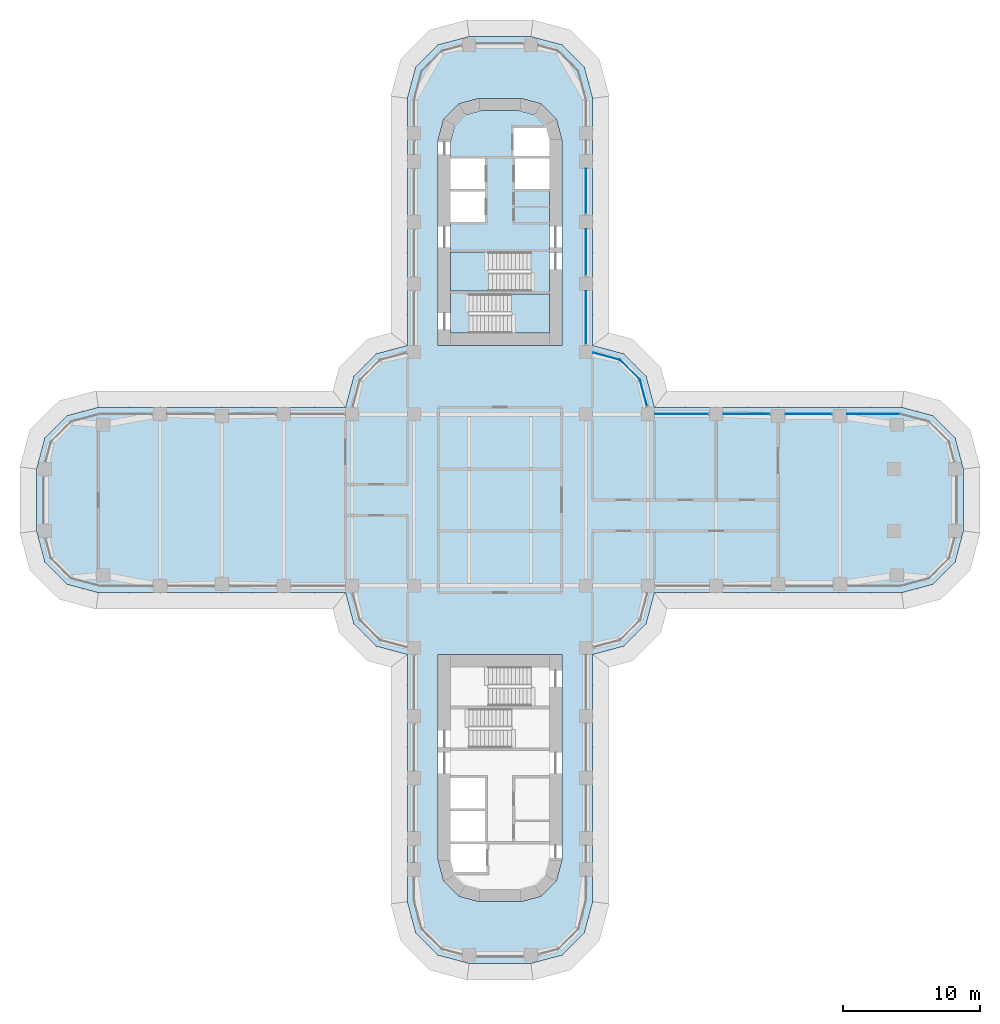
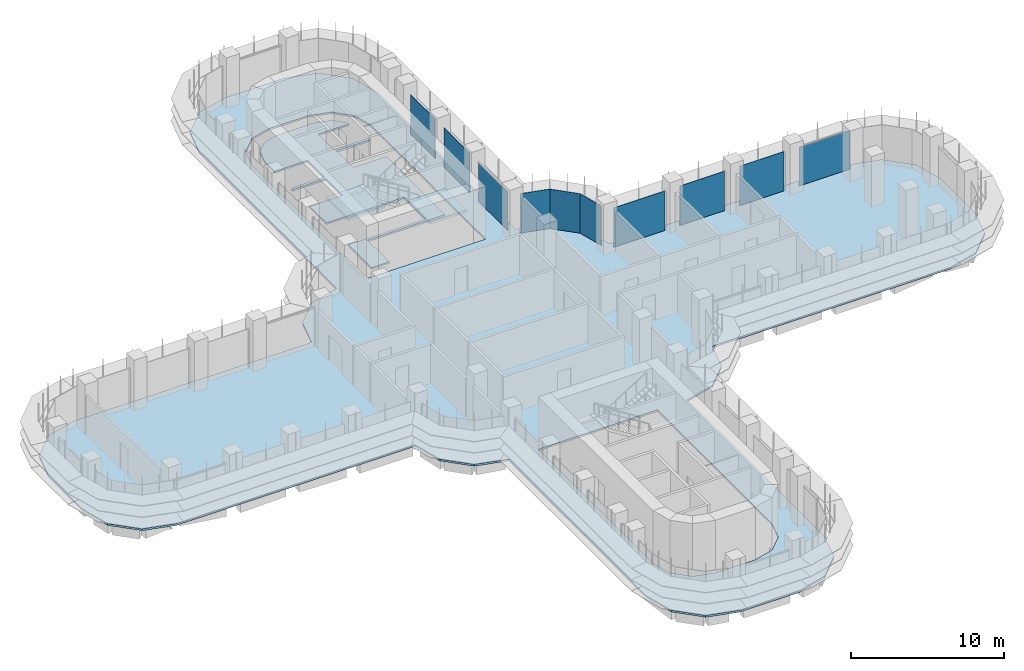
# One storey, part 15 of 23: 10 plates, 4 slabs, 7 elements without a shape of their own.
"""IFC4 building model written with IfcOpenShell, lengths in metres."""

from ifc_helpers import new_model, si_unit, direction, frame, origin, place, context, subcontext, project, spatial, polyline, outline, extrude, source, transform, mapped, material, layer, layer_set, type_object, element, aggregate, save


model = new_model("IFC4")

# Units and contexts
model_context = context("Model", 3, precision=1e-05, world=origin(), true_north=direction((0.0, 1.0)))
body_context = subcontext(model_context, "Body", "Model", "MODEL_VIEW")
ifc_project = project(units=[si_unit("LENGTHUNIT", "METRE"), si_unit("AREAUNIT", "SQUARE_METRE"), si_unit("VOLUMEUNIT", "CUBIC_METRE"), si_unit("PLANEANGLEUNIT", "RADIAN"), si_unit("MASSUNIT", "GRAM", prefix="KILO")], contexts=[model_context])

# Site, building, storey
site_placement = place(None, origin())
site = spatial("IfcSite", under=ifc_project, at=site_placement, CompositionType="ELEMENT")
building_placement = place(site_placement, origin())
building = spatial("IfcBuilding", under=site, at=building_placement, Name="Zarbagh Exchange Tower", CompositionType="ELEMENT")
storey_placement = place(building_placement, frame((0.0, 0.0, 77.39990234375)))
storey = spatial("IfcBuildingStorey", under=building, at=storey_placement, Name="L17", CompositionType="ELEMENT", Elevation=77.39990234375)

# Slabs
ifc_material_1 = material(Name="Concrete C40/50", Category="concrete")
ifc_layer_1 = layer(ifc_material_1, 0.14990234375)
ifc_layer_set_1 = layer_set([ifc_layer_1], Name="Composite floor slab 150 C40/50")
slab_type_1 = type_object("IfcSlabType", Name="Composite floor slab 150 C40/50", PredefinedType="FLOOR", material=ifc_layer_set_1)
slab_1_placement = place(storey_placement, frame((0.0, 0.0, -0.14990234375)))
element("IfcSlab", 1, at=slab_1_placement, inside=storey, type_object=slab_type_1, Name="S5 composite floor slab", PredefinedType="FLOOR", context=body_context, shape_type="SweptSolid", body=[
    extrude(outline(polyline([(-2.25, -33.75), (-4.5, -33.147216796875), (-6.147216796875, -31.5), (-6.75, -29.25), (-6.75, -11.25), (-9.0, -10.647216796875), (-10.647216796875, -9.0), (-11.25, -6.75), (-29.25, -6.75), (-31.5, -6.147216796875), (-33.147216796875, -4.5), (-33.75, -2.25), (-33.75, 2.25), (-33.147216796875, 4.5), (-31.5, 6.147216796875), (-29.25, 6.75), (-11.25, 6.75), (-10.647216796875, 9.0), (-9.0, 10.647216796875), (-6.75, 11.25), (-6.75, 29.25), (-6.147216796875, 31.5), (-4.5, 33.147216796875), (-2.25, 33.75), (2.25, 33.75), (4.5, 33.147216796875), (6.147216796875, 31.5), (6.75, 29.25), (6.75, 11.25), (9.0, 10.647216796875), (10.647216796875, 9.0), (11.25, 6.75), (29.25, 6.75), (31.5, 6.147216796875), (33.147216796875, 4.5), (33.75, 2.25), (33.75, -2.25), (33.147216796875, -4.5), (31.5, -6.147216796875), (29.25, -6.75), (11.25, -6.75), (10.647216796875, -9.0), (9.0, -10.647216796875), (6.75, -11.25), (6.75, -29.25), (6.147216796875, -31.5), (4.5, -33.147216796875), (2.25, -33.75), (-2.25, -33.75)]), holes=[polyline([(4.5, 11.25), (4.5, 26.25), (4.09814453125, 27.75), (3.0, 28.84814453125), (1.5, 29.25), (-1.5, 29.25), (-3.0, 28.84814453125), (-4.09814453125, 27.75), (-4.5, 26.25), (-4.5, 11.25), (4.5, 11.25)]), polyline([(-1.5, -29.25), (1.5, -29.25), (3.0, -28.84814453125), (4.09814453125, -27.75), (4.5, -26.25), (4.5, -11.25), (-4.5, -11.25), (-4.5, -26.25), (-4.09814453125, -27.75), (-3.0, -28.84814453125), (-1.5, -29.25)])]), origin(), (0.0, 0.0, 1.0), 0.14990234375),
])
ifc_layer_2 = layer(ifc_material_1, 0.14990234375)
ifc_layer_set_2 = layer_set([ifc_layer_2], Name="Core floor slab 150 C40/50")
slab_type_2 = type_object("IfcSlabType", Name="Core floor slab 150 C40/50", PredefinedType="FLOOR", material=ifc_layer_set_2)
slab_2_placement = place(storey_placement, frame((0.0, 0.0, -0.14990234375)))
element("IfcSlab", 2, at=slab_2_placement, inside=storey, type_object=slab_type_2, Name="S17 core N", PredefinedType="FLOOR", context=body_context, shape_type="SweptSolid", body=[
    extrude(outline(polyline([(-3.60009765625, 12.14990234375), (-3.60009765625, 15.199951171875), (2.25, 15.199951171875), (2.25, 18.050048828125), (-3.60009765625, 18.050048828125), (-3.60009765625, 20.25), (-1.10009765625, 20.25), (-1.10009765625, 22.449951171875), (-3.60009765625, 22.449951171875), (-3.60009765625, 22.64990234375), (-1.10009765625, 22.64990234375), (-1.10009765625, 24.85009765625), (-3.60009765625, 24.85009765625), (-3.60009765625, 26.131591796875), (-3.291259765625, 27.2841796875), (-2.5341796875, 28.041259765625), (-1.381591796875, 28.35009765625), (1.381591796875, 28.35009765625), (2.5341796875, 28.041259765625), (3.291259765625, 27.2841796875), (3.340576171875, 27.10009765625), (1.0, 27.10009765625), (1.0, 25.050048828125), (3.60009765625, 25.050048828125), (3.60009765625, 24.85009765625), (1.10009765625, 24.85009765625), (1.10009765625, 22.64990234375), (3.60009765625, 22.64990234375), (3.60009765625, 15.0), (-2.25, 15.0), (-2.25, 12.14990234375), (-3.60009765625, 12.14990234375)])), origin(), (0.0, 0.0, 1.0), 0.14990234375),
])

# Stair, slab
stair_type = type_object("IfcStairType", Name="Exit stair two-flight half-turn", PredefinedType="HALF_TURN_STAIR", material=ifc_material_1)
stair_1_placement = place(storey_placement, origin())
stair_1 = element("IfcStair", 3, at=stair_1_placement, inside=storey, type_object=stair_type, Name="exit stair ST1", PredefinedType="HALF_TURN_STAIR")
ifc_layer_3 = layer(ifc_material_1, 0.199951171875)
ifc_layer_set_3 = layer_set([ifc_layer_3], Name="Stair landing 200 mm")
slab_type_3 = type_object("IfcSlabType", Name="Stair landing 200 mm", PredefinedType="LANDING", material=ifc_layer_set_3)
slab_3_placement = place(storey_placement, frame((0.0, 0.0, 1.900146484375)))
slab_3 = element("IfcSlab", 4, at=slab_3_placement, type_object=slab_type_3, Name="ST1 landing 1", PredefinedType="LANDING", context=body_context, shape_type="SweptSolid", body=[
    extrude(outline(polyline([(-0.830078125, 18.050048828125), (-3.60009765625, 18.050048828125), (-3.60009765625, 15.199951171875), (-0.830078125, 15.199951171875), (-0.830078125, 18.050048828125)])), origin(), (0.0, 0.0, 1.0), 0.199951171875),
])
aggregate(stair_1, [slab_3])

stair_2_placement = place(storey_placement, origin())
stair_2 = element("IfcStair", 5, at=stair_2_placement, inside=storey, type_object=stair_type, Name="exit stair ST2", PredefinedType="HALF_TURN_STAIR")
slab_4_placement = place(storey_placement, frame((0.0, 0.0, 1.900146484375)))
slab_4 = element("IfcSlab", 6, at=slab_4_placement, type_object=slab_type_3, Name="ST2 landing 1", PredefinedType="LANDING", context=body_context, shape_type="SweptSolid", body=[
    extrude(outline(polyline([(0.830078125, 12.14990234375), (3.60009765625, 12.14990234375), (3.60009765625, 15.0), (0.830078125, 15.0), (0.830078125, 12.14990234375)])), origin(), (0.0, 0.0, 1.0), 0.199951171875),
])
aggregate(stair_2, [slab_4])

# Curtain wall, plate
ifc_material_2 = material(Name="Anodised aluminium frame and glazing", Category="aluminium")
curtain_wall_type = type_object("IfcCurtainWallType", Name="CWA Ribbon glazing, lower zones", PredefinedType="NOTDEFINED", material=ifc_material_2)
curtain_wall_1_placement = place(storey_placement, origin())
curtain_wall_1 = element("IfcCurtainWall", 7, at=curtain_wall_1_placement, inside=storey, type_object=curtain_wall_type, Name="CWA18 curtain wall", PredefinedType="NOTDEFINED")
ifc_material_3 = material(Name="Low-e double glazed unit, 6+12+6 mm")
ifc_layer_4 = layer(ifc_material_3, 0.028076171875)
ifc_layer_set_4 = layer_set([ifc_layer_4], Name="PAA Glazing panel, Low-e double glazed unit, 6+12+6 mm")
plate_type = type_object("IfcPlateType", Name="PAA Glazing panel, Low-e double glazed unit, 6+12+6 mm", PredefinedType="CURTAIN_PANEL", material=ifc_layer_set_4)
shared_shape_1 = source(origin(), body_context, "Body", "SweptSolid", [
    extrude(outline(polyline([(0.0, -0.013916015625), (2.061279296875, -0.013916015625), (2.061279296875, 0.013916015625), (0.0, 0.013916015625), (0.0, -0.013916015625)])), origin(), (0.0, 0.0, 1.0), 3.14990234375),
])
placement = place(storey_placement, origin())
plate_1 = element("IfcPlate", 8, at=placement, type_object=plate_type, Name="CWA18 glazing panel 1.1", PredefinedType="CURTAIN_PANEL", context=body_context, shape_type="MappedRepresentation", body=[
    mapped(shared_shape_1, transform((10.19873046875, 8.7412109375, 0.0), x_axis=(-0.707106781187, 0.707106781187, 0.0), y_axis=(-0.707106781187, -0.707106781187, 0.0), z_axis=(0.0, 0.0, 1.0))),
])
aggregate(curtain_wall_1, [plate_1])

curtain_wall_2_placement = place(storey_placement, origin())
curtain_wall_2 = element("IfcCurtainWall", 9, at=curtain_wall_2_placement, inside=storey, type_object=curtain_wall_type, Name="CWA20 curtain wall", PredefinedType="NOTDEFINED")
shared_shape_2 = source(origin(), body_context, "Body", "SweptSolid", [
    extrude(outline(polyline([(0.0, -0.013916015625), (3.260009765625, -0.013916015625), (3.260009765625, 0.013916015625), (0.0, 0.013916015625), (0.0, -0.013916015625)])), origin(), (0.0, 0.0, 1.0), 3.14990234375),
])
plate_2 = element("IfcPlate", 10, at=placement, type_object=plate_type, Name="CWA20 glazing panel 3.1", PredefinedType="CURTAIN_PANEL", context=body_context, shape_type="MappedRepresentation", body=[
    mapped(shared_shape_2, transform((6.25, 20.85009765625, 0.0), x_axis=(0.0, 1.0, 0.0), y_axis=(-1.0, 0.0, 0.0), z_axis=(0.0, 0.0, 1.0))),
])

# Curtain wall, plates
curtain_wall_3_placement = place(storey_placement, origin())
curtain_wall_3 = element("IfcCurtainWall", 11, at=curtain_wall_3_placement, inside=storey, type_object=curtain_wall_type, Name="CWA16 curtain wall", PredefinedType="NOTDEFINED")
shared_shape_3 = source(origin(), body_context, "Body", "SweptSolid", [
    extrude(outline(polyline([(0.0, -0.013916015625), (3.360107421875, -0.013916015625), (3.360107421875, 0.013916015625), (0.0, 0.013916015625), (0.0, -0.013916015625)])), origin(), (0.0, 0.0, 1.0), 3.14990234375),
])
plate_3 = element("IfcPlate", 12, at=placement, type_object=plate_type, Name="CWA16 glazing panel 2.1", PredefinedType="CURTAIN_PANEL", context=body_context, shape_type="MappedRepresentation", body=[
    mapped(shared_shape_3, transform((24.14990234375, 6.25, 0.0), x_axis=(-1.0, 0.0, 0.0), y_axis=(0.0, -1.0, 0.0), z_axis=(0.0, 0.0, 1.0))),
])
plate_4 = element("IfcPlate", 13, at=placement, type_object=plate_type, Name="CWA16 glazing panel 3.1", PredefinedType="CURTAIN_PANEL", context=body_context, shape_type="MappedRepresentation", body=[
    mapped(shared_shape_3, transform((19.64990234375, 6.25, 0.0), x_axis=(-1.0, 0.0, 0.0), y_axis=(0.0, -1.0, 0.0), z_axis=(0.0, 0.0, 1.0))),
])

# Plate
plate_5 = element("IfcPlate", 14, at=placement, type_object=plate_type, Name="CWA20 glazing panel 2.1", PredefinedType="CURTAIN_PANEL", context=body_context, shape_type="MappedRepresentation", body=[
    mapped(shared_shape_3, transform((6.25, 16.35009765625, 0.0), x_axis=(0.0, 1.0, 0.0), y_axis=(-1.0, 0.0, 0.0), z_axis=(0.0, 0.0, 1.0))),
])

# Curtain wall, plate
curtain_wall_4_placement = place(storey_placement, origin())
curtain_wall_4 = element("IfcCurtainWall", 15, at=curtain_wall_4_placement, inside=storey, type_object=curtain_wall_type, Name="CWA17 curtain wall", PredefinedType="NOTDEFINED")
shared_shape_4 = source(origin(), body_context, "Body", "SweptSolid", [
    extrude(outline(polyline([(0.0, -0.013916015625), (1.9599609375, -0.013916015625), (1.9599609375, 0.013916015625), (0.0, 0.013916015625), (0.0, -0.013916015625)])), origin(), (0.0, 0.0, 1.0), 3.14990234375),
])
plate_6 = element("IfcPlate", 16, at=placement, type_object=plate_type, Name="CWA17 glazing panel 1.1", PredefinedType="CURTAIN_PANEL", context=body_context, shape_type="MappedRepresentation", body=[
    mapped(shared_shape_4, transform((10.7060546875, 6.847900390625, 0.0), x_axis=(-0.258824779902, 0.965924289636, 0.0), y_axis=(-0.965924289636, -0.258824779902, 0.0), z_axis=(0.0, 0.0, 1.0))),
])
aggregate(curtain_wall_4, [plate_6])

curtain_wall_5_placement = place(storey_placement, origin())
curtain_wall_5 = element("IfcCurtainWall", 17, at=curtain_wall_5_placement, inside=storey, type_object=curtain_wall_type, Name="CWA19 curtain wall", PredefinedType="NOTDEFINED")
shared_shape_5 = source(origin(), body_context, "Body", "SweptSolid", [
    extrude(outline(polyline([(0.0, -0.013916015625), (2.02001953125, -0.013916015625), (2.02001953125, 0.013916015625), (0.0, 0.013916015625), (0.0, -0.013916015625)])), origin(), (0.0, 0.0, 1.0), 3.14990234375),
])
plate_7 = element("IfcPlate", 18, at=placement, type_object=plate_type, Name="CWA19 glazing panel 1.1", PredefinedType="CURTAIN_PANEL", context=body_context, shape_type="MappedRepresentation", body=[
    mapped(shared_shape_5, transform((8.7412109375, 10.19873046875, 0.0), x_axis=(-0.965924289636, 0.258824779902, 0.0), y_axis=(-0.258824779902, -0.965924289636, 0.0), z_axis=(0.0, 0.0, 1.0))),
])
aggregate(curtain_wall_5, [plate_7])

# Plate
shared_shape_6 = source(origin(), body_context, "Body", "SweptSolid", [
    extrude(outline(polyline([(0.0, -0.013916015625), (3.860107421875, -0.013916015625), (3.860107421875, 0.013916015625), (0.0, 0.013916015625), (0.0, -0.013916015625)])), origin(), (0.0, 0.0, 1.0), 3.090087890625),
])
plate_8 = element("IfcPlate", 19, at=placement, type_object=plate_type, Name="CWA20 glazing panel 1.1", PredefinedType="CURTAIN_PANEL", context=body_context, shape_type="MappedRepresentation", body=[
    mapped(shared_shape_6, transform((6.25, 11.35009765625, 0.0), x_axis=(0.0, 1.0, 0.0), y_axis=(-1.0, 0.0, 0.0), z_axis=(0.0, 0.0, 1.0))),
])

aggregate(curtain_wall_2, [plate_8, plate_5, plate_2])

shared_shape_7 = source(origin(), body_context, "Body", "SweptSolid", [
    extrude(outline(polyline([(0.0, -0.013916015625), (3.834228515625, -0.013916015625), (3.834228515625, 0.013916015625), (0.0, 0.013916015625), (0.0, -0.013916015625)])), origin(), (0.0, 0.0, 1.0), 3.090087890625),
])
plate_9 = element("IfcPlate", 20, at=placement, type_object=plate_type, Name="CWA16 glazing panel 1.1", PredefinedType="CURTAIN_PANEL", context=body_context, shape_type="MappedRepresentation", body=[
    mapped(shared_shape_7, transform((29.124267578125, 6.25, 0.0), x_axis=(-1.0, 0.0, 0.0), y_axis=(0.0, -1.0, 0.0), z_axis=(0.0, 0.0, 1.0))),
])

shared_shape_8 = source(origin(), body_context, "Body", "SweptSolid", [
    extrude(outline(polyline([(0.0, -0.013916015625), (3.860107421875, -0.013916015625), (3.860107421875, 0.013916015625), (0.0, 0.013916015625), (0.0, -0.013916015625)])), origin(), (0.0, 0.0, 1.0), 3.14990234375),
])
plate_10 = element("IfcPlate", 21, at=placement, type_object=plate_type, Name="CWA16 glazing panel 4.1", PredefinedType="CURTAIN_PANEL", context=body_context, shape_type="MappedRepresentation", body=[
    mapped(shared_shape_8, transform((15.14990234375, 6.25, 0.0), x_axis=(-1.0, 0.0, 0.0), y_axis=(0.0, -1.0, 0.0), z_axis=(0.0, 0.0, 1.0))),
])

aggregate(curtain_wall_3, [plate_9, plate_3, plate_4, plate_10])

save(model, "model.ifc")
